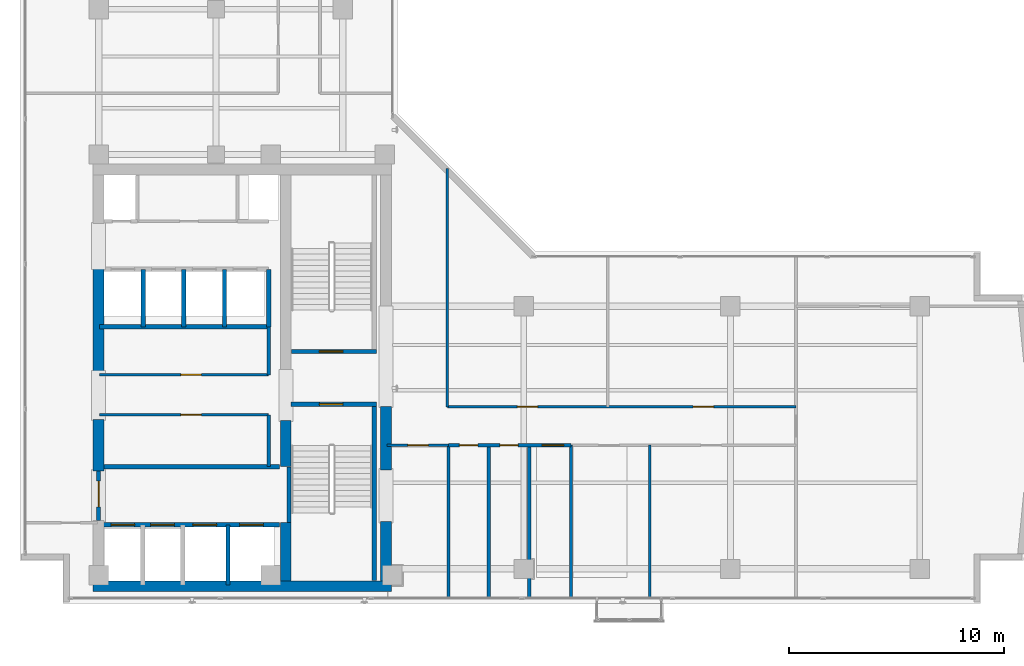
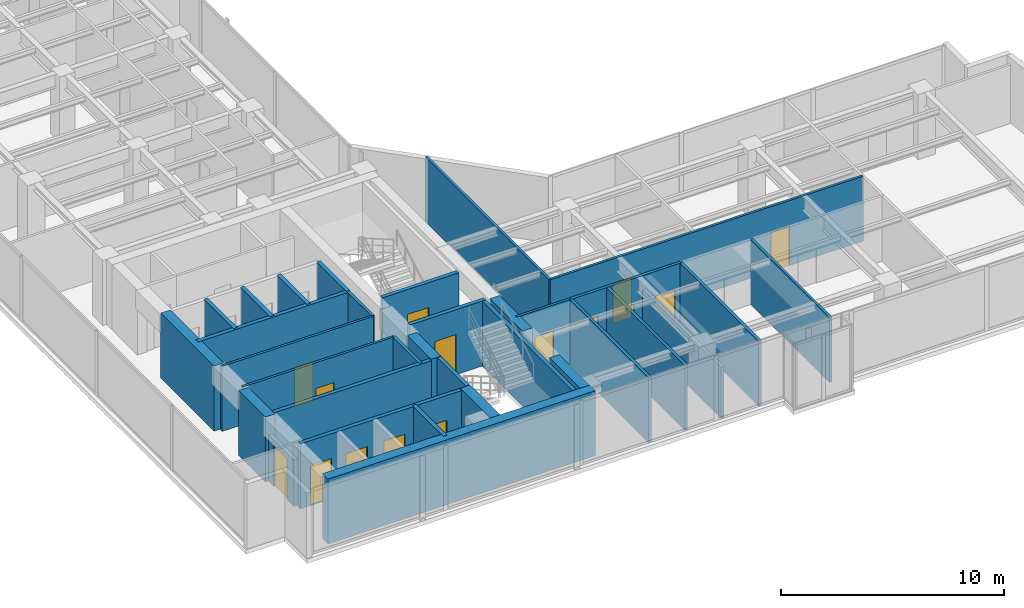
# One storey, part 17 of 22: 33 walls, 15 doors, 15 openings.
"""IFC4 building model written with IfcOpenShell, lengths in metres."""

import ifcopenshell
import ifcopenshell.guid

model = None  # the IFC model being written
_history = None  # IfcOwnerHistory: only IFC2X3 demands one
_inside = {}  # id of a spatial element -> (the spatial element, [elements in it])
_under = {}  # id of a project, library or spatial element -> (it, [spatial elements below it])
_declared = {}  # id of a project -> (the project, [libraries it declares])
_typed = {}  # id of a type object -> (the type object, [elements of that type])
_made_of = {}  # id of a material, layer set ... -> (it, [elements and type objects made of it])


def new_model(schema):
    """Start an empty IFC model of exactly this schema.

    Asked for "IFC4X3", IfcOpenShell would pick the latest addendum, in which some entities
    have other attributes; the version numbers below select the first issue.
    IFC2X3 requires an IfcOwnerHistory on every rooted entity: one is made here for all.
    """
    global model, _history
    if schema == "IFC4X3":
        model = ifcopenshell.file(schema_version=(4, 3, 0, 0))
    else:
        model = ifcopenshell.file(schema=schema)
    _inside.clear()
    _under.clear()
    _declared.clear()
    _typed.clear()
    _made_of.clear()
    _history = None
    if model.schema == "IFC2X3":
        org = make("IfcOrganization", Name="unknown")
        user = make(
            "IfcPersonAndOrganization",
            ThePerson=make("IfcPerson", FamilyName="unknown"),
            TheOrganization=org,
        )
        app = make(
            "IfcApplication",
            ApplicationDeveloper=org,
            Version="unknown",
            ApplicationFullName="unknown",
            ApplicationIdentifier="unknown",
        )
        _history = make(
            "IfcOwnerHistory",
            OwningUser=user,
            OwningApplication=app,
            ChangeAction="ADDED",
            CreationDate=0,
        )
    return model


def make(cls, **values):
    """One entity of the class cls with the attributes given. An attribute that is None is left unset."""
    return model.create_entity(
        cls, **{name: value for name, value in values.items() if value is not None}
    )


def rooted(cls, **values):
    """An entity with a GlobalId (a new one), such as an element, a storey or a relation."""
    return make(cls, GlobalId=ifcopenshell.guid.new(), OwnerHistory=_history, **values)


def si_unit(unit_type, name, prefix=None):
    """IfcSIUnit, for example si_unit("LENGTHUNIT", "METRE", prefix="MILLI")."""
    return make("IfcSIUnit", UnitType=unit_type, Prefix=prefix, Name=name)


def assignment(units):
    """IfcUnitAssignment: the units of a project."""
    return None if units is None else make("IfcUnitAssignment", Units=units)


def point(xyz):
    """IfcCartesianPoint."""
    return None if xyz is None else make("IfcCartesianPoint", Coordinates=xyz)


def direction(xyz):
    """IfcDirection."""
    return None if xyz is None else make("IfcDirection", DirectionRatios=xyz)


def frame(location, z_axis=None, x_axis=None):
    """IfcAxis2Placement3D, a coordinate frame: its origin and axes. An axis left out is left unset."""
    return make(
        "IfcAxis2Placement3D",
        Location=point(location),
        Axis=direction(z_axis),
        RefDirection=direction(x_axis),
    )


def frame_2d(location, x_axis=None):
    """IfcAxis2Placement2D, a coordinate frame in the plane: its origin and x axis."""
    return make(
        "IfcAxis2Placement2D", Location=point(location), RefDirection=direction(x_axis)
    )


def origin():
    """The frame at (0, 0, 0) with its axes left unset."""
    return frame((0.0, 0.0, 0.0))


def place(relative_to, where):
    """IfcLocalPlacement: puts the frame where relative to a parent placement (None: the world)."""
    return make(
        "IfcLocalPlacement", PlacementRelTo=relative_to, RelativePlacement=where
    )


def context(
    kind, dimensions, precision=None, world=None, true_north=None, identifier=None
):
    """IfcGeometricRepresentationContext, for example the 3D "Model" context."""
    return make(
        "IfcGeometricRepresentationContext",
        ContextIdentifier=identifier,
        ContextType=kind,
        CoordinateSpaceDimension=dimensions,
        Precision=precision,
        WorldCoordinateSystem=world,
        TrueNorth=true_north,
    )


def subcontext(parent, identifier, kind, view, scale=None):
    """IfcGeometricRepresentationSubContext, for example "Body" below "Model"."""
    return make(
        "IfcGeometricRepresentationSubContext",
        ContextIdentifier=identifier,
        ContextType=kind,
        ParentContext=parent,
        TargetScale=scale,
        TargetView=view,
    )


def project(units=None, contexts=None):
    """IfcProject with its units and contexts."""
    return rooted(
        "IfcProject",
        Name="project",
        RepresentationContexts=contexts,
        UnitsInContext=assignment(units),
    )


def spatial(cls, under=None, at=None, **own):
    """A site, building, storey or space (cls), placed at a placement, below another one or the project."""
    s = rooted(cls, ObjectPlacement=at, **own)
    if under is not None:
        _under.setdefault(under.id(), (under, []))[1].append(s)
    return s


def profile(cls, at=None, kind="AREA", **sizes):
    """A parametric profile (cls). Its sizes go by their IFC names, for example OverallWidth=200.0."""
    return make(cls, ProfileType=kind, Position=at, **sizes)


def rectangle(**sizes):
    """IfcRectangleProfileDef."""
    return profile("IfcRectangleProfileDef", **sizes)


def extrude(swept, where, along, depth):
    """IfcExtrudedAreaSolid: the profile swept, set in the frame where, extruded along a direction by depth."""
    return make(
        "IfcExtrudedAreaSolid",
        SweptArea=swept,
        Position=where,
        ExtrudedDirection=direction(along),
        Depth=depth,
    )


def shape(context_of_items, identifier, shape_type, items):
    """IfcShapeRepresentation: the items that make up one representation, for example the "Body"."""
    return make(
        "IfcShapeRepresentation",
        ContextOfItems=context_of_items,
        RepresentationIdentifier=identifier,
        RepresentationType=shape_type,
        Items=items,
    )


def material(Name=None, Category=None):
    """IfcMaterial."""
    return make("IfcMaterial", Name=Name, Category=Category)


def layer(
    of_material, thickness, ventilated=None, Name=None, Category=None, Priority=None
):
    """IfcMaterialLayer: one layer of a wall or slab, of a material (None: an air gap)."""
    return make(
        "IfcMaterialLayer",
        Material=of_material,
        LayerThickness=thickness,
        IsVentilated=ventilated,
        Name=Name,
        Category=Category,
        Priority=Priority,
    )


def layer_set(layers, Name=None):
    """IfcMaterialLayerSet."""
    return make("IfcMaterialLayerSet", MaterialLayers=layers, LayerSetName=Name)


def made_of(thing, what):
    """Note that an element or type object is made of a material, layer set ...; save() writes the relation."""
    if what is not None:
        _made_of.setdefault(what.id(), (what, []))[1].append(thing)
    return thing


def type_object(cls, material=None, **own):
    """A type object (cls), such as IfcWallType, which elements share."""
    return made_of(rooted(cls, **own), material)


def element(
    cls,
    number,
    at=None,
    inside=None,
    cuts=None,
    type_object=None,
    material=None,
    context=None,
    identifier="Body",
    shape_type=None,
    held_by="IfcProductDefinitionShape",
    body=None,
    shapes=None,
    **own,
):
    """One element of the class cls, such as IfcWall. Its Tag is "e" and its number.

    at: its placement. inside: the storey or other place that contains it. cuts: it is an
    opening in that element (IfcRelVoidsElement). A single representation is given by context,
    identifier, shape_type and body (its items); several are given by shapes. held_by: the class
    of the entity that holds the representations. save() writes the other relations.
    """
    e = rooted(cls, Tag="e%d" % number, ObjectPlacement=at, **own)
    if body is not None:
        shapes = [shape(context, identifier, shape_type, body)]
    if shapes is not None:
        e.Representation = make(held_by, Representations=shapes)
    if inside is not None:
        _inside.setdefault(inside.id(), (inside, []))[1].append(e)
    if cuts is not None:
        rooted(
            "IfcRelVoidsElement", RelatingBuildingElement=cuts, RelatedOpeningElement=e
        )
    if type_object is not None:
        _typed.setdefault(type_object.id(), (type_object, []))[1].append(e)
    return made_of(e, material)


def fill(opening, filler):
    """IfcRelFillsElement: the door or window that sits in an opening."""
    return rooted(
        "IfcRelFillsElement",
        RelatingOpeningElement=opening,
        RelatedBuildingElement=filler,
    )


def aggregate(whole, parts):
    """IfcRelAggregates: a whole, such as a stair, and the parts it consists of."""
    return rooted("IfcRelAggregates", RelatingObject=whole, RelatedObjects=parts)


def save(model, path):
    """Write the relations noted so far, then the file.

    IfcRelAggregates (storeys below a building ...), IfcRelContainedInSpatialStructure (elements
    in a storey), IfcRelDefinesByType, IfcRelAssociatesMaterial and IfcRelDeclares: one each for
    every whole, place, type object, material and project.
    """
    for whole, parts in _under.values():
        aggregate(whole, parts)
    for where, things in _inside.values():
        rooted(
            "IfcRelContainedInSpatialStructure",
            RelatedElements=things,
            RelatingStructure=where,
        )
    for kind, things in _typed.values():
        rooted("IfcRelDefinesByType", RelatedObjects=things, RelatingType=kind)
    for what, things in _made_of.values():
        rooted("IfcRelAssociatesMaterial", RelatedObjects=things, RelatingMaterial=what)
    for by, libraries in _declared.values():
        rooted("IfcRelDeclares", RelatingContext=by, RelatedDefinitions=libraries)
    model.write(path)


model = new_model("IFC4")

# Units and contexts
model_context = context("Model", 3, precision=1e-05, world=origin(), true_north=direction((0.0, 1.0)))
body_context = subcontext(model_context, "Body", "Model", "MODEL_VIEW")
ifc_project = project(units=[si_unit("LENGTHUNIT", "METRE"), si_unit("AREAUNIT", "SQUARE_METRE"), si_unit("VOLUMEUNIT", "CUBIC_METRE"), si_unit("PLANEANGLEUNIT", "RADIAN"), si_unit("MASSUNIT", "GRAM", prefix="KILO")], contexts=[model_context])

# Site, building, storey
site_placement = place(None, origin())
site = spatial("IfcSite", under=ifc_project, at=site_placement, CompositionType="ELEMENT")
building_placement = place(site_placement, origin())
building = spatial("IfcBuilding", under=site, at=building_placement, Name="Kolvaren Waterfront Exchange", CompositionType="ELEMENT")
storey_placement = place(building_placement, frame((0.0, 0.0, 281.800048828125)))
storey = spatial("IfcBuildingStorey", under=building, at=storey_placement, Name="L72", CompositionType="ELEMENT", Elevation=281.800048828125)

# Wall, opening, door
ifc_material_1 = material(Name="Precast concrete C40/50", Category="concrete")
ifc_layer_1 = layer(ifc_material_1, 0.199951171875, Name="Precast concrete C40/50")
ifc_layer_set_1 = layer_set([ifc_layer_1], Name="Precast concrete C40/50")
wall_type_1 = type_object("IfcWallType", Name="ARC-FIRE-200", PredefinedType="PARTITIONING", material=ifc_layer_set_1)
wall_1_placement = place(storey_placement, frame((16.39990234375, 12.85009765625, 0.0), z_axis=(0.0, 0.0, 1.0), x_axis=(1.0, 0.0, 0.0)))
wall_1 = element("IfcWall", 1, at=wall_1_placement, inside=storey, type_object=wall_type_1, Name="L72 interior wall PW-L72-ST1-THROAT-S", PredefinedType="PARTITIONING", context=body_context, shape_type="SweptSolid", body=[
    extrude(rectangle(XDim=3.960205078125, YDim=0.199951171875, at=frame_2d((1.97998046875, 0.0))), origin(), (0.0, 0.0, 1.0), 3.56005859375),
])
opening_1_placement = place(wall_1_placement, frame((1.3037109375, 0.0, 0.0)))
opening_1 = element("IfcOpeningElement", 2, at=opening_1_placement, cuts=wall_1, Name="Opening FD2", PredefinedType="OPENING", context=body_context, shape_type="SweptSolid", body=[
    extrude(rectangle(XDim=1.10009765625, YDim=2.199951171875, at=frame_2d((0.550048828125, 1.10009765625))), frame((0.0, 0.10986328125, 0.0), z_axis=(0.0, -1.0, 0.0), x_axis=(1.0, 0.0, 0.0)), (0.0, 0.0, 1.0), 0.219970703125),
])
ifc_material_2 = material(Name="Pressed steel smoke-seal fire door", Category="steel")
door_type_1 = type_object("IfcDoorType", Name="ARC-FD-1100", OperationType="NOTDEFINED", PredefinedType="DOOR", material=ifc_material_2)
door_1_placement = place(opening_1_placement, frame((1.10009765625, 0.0, 0.0), z_axis=(0.0, 0.0, 1.0), x_axis=(-1.0, 0.0, 0.0)))
door_1 = element("IfcDoor", 3, at=door_1_placement, inside=storey, type_object=door_type_1, Name="L72 door DR-L72-ST1-IN (FD2)", OperationType="SINGLE_SWING_RIGHT", OverallHeight=2.199951171875, OverallWidth=1.10009765625, PredefinedType="DOOR", context=body_context, shape_type="SweptSolid", body=[
    extrude(rectangle(XDim=1.10009765625, YDim=2.199951171875, at=frame_2d((0.550048828125, 1.10009765625))), frame((0.0, 0.02490234375, 0.0), z_axis=(0.0, -1.0, 0.0), x_axis=(1.0, 0.0, 0.0)), (0.0, 0.0, 1.0), 0.050048828125),
])
fill(opening_1, door_1)

wall_2_placement = place(storey_placement, frame((16.409912109375, 15.300048828125, 0.0), z_axis=(0.0, 0.0, 1.0), x_axis=(1.0, 0.0, 0.0)))
wall_2 = element("IfcWall", 4, at=wall_2_placement, inside=storey, type_object=wall_type_1, Name="L72 interior wall PW-L72-ST2-THROAT-N", PredefinedType="PARTITIONING", context=body_context, shape_type="SweptSolid", body=[
    extrude(rectangle(XDim=3.9501953125, YDim=0.199951171875, at=frame_2d((1.97509765625, 0.0))), origin(), (0.0, 0.0, 1.0), 3.56005859375),
])
opening_2_placement = place(wall_2_placement, frame((1.293701171875, 0.0, 0.0)))
opening_2 = element("IfcOpeningElement", 5, at=opening_2_placement, cuts=wall_2, Name="Opening FD2", PredefinedType="OPENING", context=body_context, shape_type="SweptSolid", body=[
    extrude(rectangle(XDim=1.10009765625, YDim=2.199951171875, at=frame_2d((0.550048828125, 1.10009765625))), frame((0.0, 0.10986328125, 0.0), z_axis=(0.0, -1.0, 0.0), x_axis=(1.0, 0.0, 0.0)), (0.0, 0.0, 1.0), 0.219970703125),
])
door_2_placement = place(opening_2_placement, origin())
door_2 = element("IfcDoor", 6, at=door_2_placement, inside=storey, type_object=door_type_1, Name="L72 door DR-L72-ST2-IN (FD2)", OperationType="SINGLE_SWING_LEFT", OverallHeight=2.199951171875, OverallWidth=1.10009765625, PredefinedType="DOOR", context=body_context, shape_type="SweptSolid", body=[
    extrude(rectangle(XDim=1.10009765625, YDim=2.199951171875, at=frame_2d((0.550048828125, 1.10009765625))), frame((0.0, 0.02490234375, 0.0), z_axis=(0.0, -1.0, 0.0), x_axis=(1.0, 0.0, 0.0)), (0.0, 0.0, 1.0), 0.050048828125),
])
fill(opening_2, door_2)

# Wall
wall_3_placement = place(storey_placement, frame((7.5, 9.949951171875, 0.0), z_axis=(0.0, 0.0, 1.0), x_axis=(1.0, 0.0, 0.0)))
element("IfcWall", 7, at=wall_3_placement, inside=storey, type_object=wall_type_1, Name="L72 interior wall PW-L72-FF-N", PredefinedType="PARTITIONING", context=body_context, shape_type="SweptSolid", body=[
    extrude(rectangle(XDim=8.35009765625, YDim=0.199951171875, at=frame_2d((4.175048828125, 0.0))), origin(), (0.0, 0.0, 1.0), 3.56005859375),
])

# Wall, opening, door
wall_4_placement = place(storey_placement, frame((7.449951171875, 7.449951171875, 0.0), z_axis=(0.0, 0.0, 1.0), x_axis=(0.0, 1.0, 0.0)))
wall_4 = element("IfcWall", 8, at=wall_4_placement, inside=storey, type_object=wall_type_1, Name="L72 interior wall PW-L72-FF-W-DOOR", PredefinedType="PARTITIONING", context=body_context, shape_type="SweptSolid", body=[
    extrude(rectangle(XDim=2.300048828125, YDim=0.199951171875, at=frame_2d((1.14990234375, 0.0))), origin(), (0.0, 0.0, 1.0), 2.5400390625),
])
opening_3_placement = place(wall_4_placement, frame((0.63330078125, 0.0, 0.0)))
opening_3 = element("IfcOpeningElement", 9, at=opening_3_placement, cuts=wall_4, Name="Opening FD3", PredefinedType="OPENING", context=body_context, shape_type="SweptSolid", body=[
    extrude(rectangle(XDim=1.199951171875, YDim=2.25, at=frame_2d((0.60009765625, 1.125))), frame((0.0, 0.10986328125, 0.0), z_axis=(0.0, -1.0, 0.0), x_axis=(1.0, 0.0, 0.0)), (0.0, 0.0, 1.0), 0.219970703125),
])
ifc_material_3 = material(Name="Pressed steel fire door", Category="steel")
door_type_2 = type_object("IfcDoorType", Name="ARC-FD-1200", OperationType="NOTDEFINED", PredefinedType="DOOR", material=ifc_material_3)
door_3_placement = place(opening_3_placement, frame((1.199951171875, 0.0, 0.0), z_axis=(0.0, 0.0, 1.0), x_axis=(-1.0, 0.0, 0.0)))
door_3 = element("IfcDoor", 10, at=door_3_placement, inside=storey, type_object=door_type_2, Name="L72 door DR-L72-FF-OUT (FD3)", OperationType="SINGLE_SWING_RIGHT", OverallHeight=2.25, OverallWidth=1.199951171875, PredefinedType="DOOR", context=body_context, shape_type="SweptSolid", body=[
    extrude(rectangle(XDim=1.199951171875, YDim=2.25, at=frame_2d((0.60009765625, 1.125))), frame((0.0, 0.02490234375, 0.0), z_axis=(0.0, -1.0, 0.0), x_axis=(1.0, 0.0, 0.0)), (0.0, 0.0, 1.0), 0.050048828125),
])
fill(opening_3, door_3)

ifc_material_4 = material(Name="Acoustic gypsum steel stud", Category="steel")
ifc_layer_2 = layer(ifc_material_4, 0.125, Name="Acoustic gypsum steel stud")
ifc_layer_set_2 = layer_set([ifc_layer_2], Name="Acoustic gypsum steel stud")
wall_type_2 = type_object("IfcWallType", Name="ARC-PART-125", PredefinedType="PARTITIONING", material=ifc_layer_set_2)
wall_5_placement = place(storey_placement, frame((7.5, 12.360107421875, 0.0), z_axis=(0.0, 0.0, 1.0), x_axis=(1.0, 0.0, 0.0)))
wall_5 = element("IfcWall", 11, at=wall_5_placement, inside=storey, type_object=wall_type_2, Name="L72 interior wall PW-L72-REC-HI-S", PredefinedType="PARTITIONING", context=body_context, shape_type="SweptSolid", body=[
    extrude(rectangle(XDim=7.85009765625, YDim=0.125, at=frame_2d((3.925048828125, 0.0))), origin(), (0.0, 0.0, 1.0), 3.56005859375),
])
opening_4_placement = place(wall_5_placement, frame((3.77490234375, 0.0, 0.0)))
opening_4 = element("IfcOpeningElement", 12, at=opening_4_placement, cuts=wall_5, Name="Opening D02", PredefinedType="OPENING", context=body_context, shape_type="SweptSolid", body=[
    extrude(rectangle(XDim=0.949951171875, YDim=2.14990234375, at=frame_2d((0.47509765625, 1.074951171875))), frame((0.0, 0.072509765625, 0.0), z_axis=(0.0, -1.0, 0.0), x_axis=(1.0, 0.0, 0.0)), (0.0, 0.0, 1.0), 0.14501953125),
])
ifc_material_5 = material(Name="Oak veneer acoustic timber", Category="wood")
door_type_3 = type_object("IfcDoorType", Name="ARC-DR-950", OperationType="NOTDEFINED", PredefinedType="DOOR", material=ifc_material_5)
door_4_placement = place(opening_4_placement, origin())
door_4 = element("IfcDoor", 13, at=door_4_placement, inside=storey, type_object=door_type_3, Name="L72 door DR-L72-REC-HI-D1 (D02)", OperationType="SINGLE_SWING_LEFT", OverallHeight=2.14990234375, OverallWidth=0.949951171875, PredefinedType="DOOR", context=body_context, shape_type="SweptSolid", body=[
    extrude(rectangle(XDim=0.949951171875, YDim=2.14990234375, at=frame_2d((0.47509765625, 1.074951171875))), frame((0.0, 0.02490234375, 0.0), z_axis=(0.0, -1.0, 0.0), x_axis=(1.0, 0.0, 0.0)), (0.0, 0.0, 1.0), 0.050048828125),
])
fill(opening_4, door_4)

wall_6_placement = place(storey_placement, frame((7.5, 14.219970703125, 0.0), z_axis=(0.0, 0.0, 1.0), x_axis=(1.0, 0.0, 0.0)))
wall_6 = element("IfcWall", 14, at=wall_6_placement, inside=storey, type_object=wall_type_2, Name="L72 interior wall PW-L72-REC-HI-N", PredefinedType="PARTITIONING", context=body_context, shape_type="SweptSolid", body=[
    extrude(rectangle(XDim=7.85009765625, YDim=0.125, at=frame_2d((3.925048828125, 0.0))), origin(), (0.0, 0.0, 1.0), 3.56005859375),
])
opening_5_placement = place(wall_6_placement, frame((3.77490234375, 0.0, 0.0)))
opening_5 = element("IfcOpeningElement", 15, at=opening_5_placement, cuts=wall_6, Name="Opening D02", PredefinedType="OPENING", context=body_context, shape_type="SweptSolid", body=[
    extrude(rectangle(XDim=0.949951171875, YDim=2.14990234375, at=frame_2d((0.47509765625, 1.074951171875))), frame((0.0, 0.072509765625, 0.0), z_axis=(0.0, -1.0, 0.0), x_axis=(1.0, 0.0, 0.0)), (0.0, 0.0, 1.0), 0.14501953125),
])
door_5_placement = place(opening_5_placement, origin())
door_5 = element("IfcDoor", 16, at=door_5_placement, inside=storey, type_object=door_type_3, Name="L72 door DR-L72-REC-HI-D2 (D02)", OperationType="SINGLE_SWING_RIGHT", OverallHeight=2.14990234375, OverallWidth=0.949951171875, PredefinedType="DOOR", context=body_context, shape_type="SweptSolid", body=[
    extrude(rectangle(XDim=0.949951171875, YDim=2.14990234375, at=frame_2d((0.47509765625, 1.074951171875))), frame((0.0, 0.02490234375, 0.0), z_axis=(0.0, -1.0, 0.0), x_axis=(1.0, 0.0, 0.0)), (0.0, 0.0, 1.0), 0.050048828125),
])
fill(opening_5, door_5)

wall_7_placement = place(storey_placement, frame((20.85009765625, 10.949951171875, 0.0), z_axis=(0.0, 0.0, 1.0), x_axis=(1.0, 0.0, 0.0)))
wall_7 = element("IfcWall", 17, at=wall_7_placement, inside=storey, type_object=wall_type_2, Name="L72 interior wall PW-L72-SWST3-N", PredefinedType="PARTITIONING", context=body_context, shape_type="SweptSolid", body=[
    extrude(rectangle(XDim=2.849853515625, YDim=0.125, at=frame_2d((1.4248046875, 0.0))), origin(), (0.0, 0.0, 1.0), 3.56005859375),
])
opening_6_placement = place(wall_7_placement, frame((0.971435546875, 0.0, 0.0)))
opening_6 = element("IfcOpeningElement", 18, at=opening_6_placement, cuts=wall_7, Name="Opening D02", PredefinedType="OPENING", context=body_context, shape_type="SweptSolid", body=[
    extrude(rectangle(XDim=0.949951171875, YDim=2.14990234375, at=frame_2d((0.47509765625, 1.074951171875))), frame((0.0, 0.072509765625, 0.0), z_axis=(0.0, -1.0, 0.0), x_axis=(1.0, 0.0, 0.0)), (0.0, 0.0, 1.0), 0.14501953125),
])
door_6_placement = place(opening_6_placement, origin())
door_6 = element("IfcDoor", 19, at=door_6_placement, inside=storey, type_object=door_type_3, Name="L72 door DR-L72-SWST3-D (D02)", OperationType="SINGLE_SWING_LEFT", OverallHeight=2.14990234375, OverallWidth=0.949951171875, PredefinedType="DOOR", context=body_context, shape_type="SweptSolid", body=[
    extrude(rectangle(XDim=0.949951171875, YDim=2.14990234375, at=frame_2d((0.47509765625, 1.074951171875))), frame((0.0, 0.02490234375, 0.0), z_axis=(0.0, -1.0, 0.0), x_axis=(1.0, 0.0, 0.0)), (0.0, 0.0, 1.0), 0.050048828125),
])
fill(opening_6, door_6)

# Walls
wall_8_placement = place(storey_placement, frame((33.06005859375, 3.840087890625, 0.0), z_axis=(0.0, 0.0, 1.0), x_axis=(0.0, 1.0, 0.0)))
element("IfcWall", 20, at=wall_8_placement, inside=storey, type_object=wall_type_2, Name="L72 interior wall PW-L72-ES-DIV-1", PredefinedType="PARTITIONING", context=body_context, shape_type="SweptSolid", body=[
    extrude(rectangle(XDim=7.10986328125, YDim=0.125, at=frame_2d((3.554931640625, 0.0))), origin(), (0.0, 0.0, 1.0), 3.56005859375),
])
wall_9_placement = place(storey_placement, frame((23.64990234375, 12.72998046875, 0.0), z_axis=(0.0, 0.0, 1.0), x_axis=(0.0, 1.0, 0.0)))
element("IfcWall", 21, at=wall_9_placement, inside=storey, type_object=wall_type_2, Name="L72 interior wall PW-L72-EN-W0", PredefinedType="PARTITIONING", context=body_context, shape_type="SweptSolid", body=[
    extrude(rectangle(XDim=11.07470703125, YDim=0.125, at=frame_2d((5.537353515625, 0.0))), origin(), (0.0, 0.0, 1.0), 3.56005859375),
])

# Wall, openings, doors
wall_10_placement = place(storey_placement, frame((23.64990234375, 12.72998046875, 0.0), z_axis=(0.0, 0.0, 1.0), x_axis=(1.0, 0.0, 0.0)))
wall_10 = element("IfcWall", 22, at=wall_10_placement, inside=storey, type_object=wall_type_2, Name="L72 interior wall PW-L72-EN-CORR", PredefinedType="PARTITIONING", context=body_context, shape_type="SweptSolid", body=[
    extrude(rectangle(XDim=16.2001953125, YDim=0.125, at=frame_2d((8.10009765625, 0.0))), origin(), (0.0, 0.0, 1.0), 3.56005859375),
])
opening_7_placement = place(wall_10_placement, frame((3.25, 0.0, 0.0)))
opening_7 = element("IfcOpeningElement", 23, at=opening_7_placement, cuts=wall_10, Name="Opening D02", PredefinedType="OPENING", context=body_context, shape_type="SweptSolid", body=[
    extrude(rectangle(XDim=0.949951171875, YDim=2.14990234375, at=frame_2d((0.47509765625, 1.074951171875))), frame((0.0, 0.072509765625, 0.0), z_axis=(0.0, -1.0, 0.0), x_axis=(1.0, 0.0, 0.0)), (0.0, 0.0, 1.0), 0.14501953125),
])
opening_8_placement = place(wall_10_placement, frame((11.42138671875, 0.0, 0.0)))
opening_8 = element("IfcOpeningElement", 24, at=opening_8_placement, cuts=wall_10, Name="Opening D02", PredefinedType="OPENING", context=body_context, shape_type="SweptSolid", body=[
    extrude(rectangle(XDim=0.949951171875, YDim=2.14990234375, at=frame_2d((0.47509765625, 1.074951171875))), frame((0.0, 0.072509765625, 0.0), z_axis=(0.0, -1.0, 0.0), x_axis=(1.0, 0.0, 0.0)), (0.0, 0.0, 1.0), 0.14501953125),
])
door_7_placement = place(opening_7_placement, origin())
door_7 = element("IfcDoor", 25, at=door_7_placement, inside=storey, type_object=door_type_3, Name="L72 door DR-L72-EN-D-1 (D02)", OperationType="SINGLE_SWING_RIGHT", OverallHeight=2.14990234375, OverallWidth=0.949951171875, PredefinedType="DOOR", context=body_context, shape_type="SweptSolid", body=[
    extrude(rectangle(XDim=0.949951171875, YDim=2.14990234375, at=frame_2d((0.47509765625, 1.074951171875))), frame((0.0, 0.02490234375, 0.0), z_axis=(0.0, -1.0, 0.0), x_axis=(1.0, 0.0, 0.0)), (0.0, 0.0, 1.0), 0.050048828125),
])
fill(opening_7, door_7)
door_8_placement = place(opening_8_placement, origin())
door_8 = element("IfcDoor", 26, at=door_8_placement, inside=storey, type_object=door_type_3, Name="L72 door DR-L72-EN-D-2 (D02)", OperationType="SINGLE_SWING_LEFT", OverallHeight=2.14990234375, OverallWidth=0.949951171875, PredefinedType="DOOR", context=body_context, shape_type="SweptSolid", body=[
    extrude(rectangle(XDim=0.949951171875, YDim=2.14990234375, at=frame_2d((0.47509765625, 1.074951171875))), frame((0.0, 0.02490234375, 0.0), z_axis=(0.0, -1.0, 0.0), x_axis=(1.0, 0.0, 0.0)), (0.0, 0.0, 1.0), 0.050048828125),
])
fill(opening_8, door_8)

# Walls
ifc_material_6 = material(Name="Gypsum fireboard steel stud", Category="steel")
ifc_layer_3 = layer(ifc_material_6, 0.14990234375, Name="Gypsum fireboard steel stud")
ifc_layer_set_3 = layer_set([ifc_layer_3], Name="Gypsum fireboard steel stud")
wall_type_3 = type_object("IfcWallType", Name="ARC-PART-150", PredefinedType="PARTITIONING", material=ifc_layer_set_3)
wall_11_placement = place(storey_placement, frame((15.35009765625, 9.949951171875, 0.0), z_axis=(0.0, 0.0, 1.0), x_axis=(0.0, 1.0, 0.0)))
element("IfcWall", 27, at=wall_11_placement, inside=storey, type_object=wall_type_3, Name="L72 interior wall PW-L72-REC-HI-E1", PredefinedType="PARTITIONING", context=body_context, shape_type="SweptSolid", body=[
    extrude(rectangle(XDim=2.41015625, YDim=0.14990234375, at=frame_2d((1.205078125, 0.0))), origin(), (0.0, 0.0, 1.0), 3.56005859375),
])
wall_12_placement = place(storey_placement, frame((15.35009765625, 14.219970703125, 0.0), z_axis=(0.0, 0.0, 1.0), x_axis=(0.0, 1.0, 0.0)))
element("IfcWall", 28, at=wall_12_placement, inside=storey, type_object=wall_type_3, Name="L72 interior wall PW-L72-REC-HI-E2", PredefinedType="PARTITIONING", context=body_context, shape_type="SweptSolid", body=[
    extrude(rectangle(XDim=2.22998046875, YDim=0.14990234375, at=frame_2d((1.114990234375, 0.0))), origin(), (0.0, 0.0, 1.0), 3.56005859375),
])
ifc_material_7 = material(Name="Moisture-resistant gypsum stud")
ifc_layer_4 = layer(ifc_material_7, 0.14990234375, Name="Moisture-resistant gypsum stud")
ifc_layer_set_4 = layer_set([ifc_layer_4], Name="Moisture-resistant gypsum stud")
wall_type_4 = type_object("IfcWallType", Name="ARC-PLUMB-150", PredefinedType="PLUMBINGWALL", material=ifc_layer_set_4)
wall_13_placement = place(storey_placement, frame((23.699951171875, 3.840087890625, 0.0), z_axis=(0.0, 0.0, 1.0), x_axis=(0.0, 1.0, 0.0)))
element("IfcWall", 29, at=wall_13_placement, inside=storey, type_object=wall_type_4, Name="L72 interior wall PW-L72-WC-0", PredefinedType="PLUMBINGWALL", context=body_context, shape_type="SweptSolid", body=[
    extrude(rectangle(XDim=7.10986328125, YDim=0.14990234375, at=frame_2d((3.554931640625, 0.0))), origin(), (0.0, 0.0, 1.0), 3.56005859375),
])

# Wall, openings, doors
wall_14_placement = place(storey_placement, frame((23.699951171875, 10.949951171875, 0.0), z_axis=(0.0, 0.0, 1.0), x_axis=(1.0, 0.0, 0.0)))
wall_14 = element("IfcWall", 30, at=wall_14_placement, inside=storey, type_object=wall_type_4, Name="L72 interior wall PW-L72-WC-N", PredefinedType="PLUMBINGWALL", context=body_context, shape_type="SweptSolid", body=[
    extrude(rectangle(XDim=5.699951171875, YDim=0.14990234375, at=frame_2d((2.85009765625, 0.0))), origin(), (0.0, 0.0, 1.0), 3.56005859375),
])
opening_9_placement = place(wall_14_placement, frame((0.514892578125, 0.0, 0.0)))
opening_9 = element("IfcOpeningElement", 31, at=opening_9_placement, cuts=wall_14, Name="Opening D01", PredefinedType="OPENING", context=body_context, shape_type="SweptSolid", body=[
    extrude(rectangle(XDim=0.85009765625, YDim=2.14990234375, at=frame_2d((0.425048828125, 1.074951171875))), frame((0.0, 0.0849609375, 0.0), z_axis=(0.0, -1.0, 0.0), x_axis=(1.0, 0.0, 0.0)), (0.0, 0.0, 1.0), 0.169921875),
])
opening_10_placement = place(wall_14_placement, frame((2.39501953125, 0.0, 0.0)))
opening_10 = element("IfcOpeningElement", 32, at=opening_10_placement, cuts=wall_14, Name="Opening D01", PredefinedType="OPENING", context=body_context, shape_type="SweptSolid", body=[
    extrude(rectangle(XDim=0.85009765625, YDim=2.14990234375, at=frame_2d((0.425048828125, 1.074951171875))), frame((0.0, 0.0849609375, 0.0), z_axis=(0.0, -1.0, 0.0), x_axis=(1.0, 0.0, 0.0)), (0.0, 0.0, 1.0), 0.169921875),
])
opening_11_placement = place(wall_14_placement, frame((4.35009765625, 0.0, 0.0)))
opening_11 = element("IfcOpeningElement", 33, at=opening_11_placement, cuts=wall_14, Name="Opening D03", PredefinedType="OPENING", context=body_context, shape_type="SweptSolid", body=[
    extrude(rectangle(XDim=1.0, YDim=2.199951171875, at=frame_2d((0.5, 1.10009765625))), frame((0.0, 0.0849609375, 0.0), z_axis=(0.0, -1.0, 0.0), x_axis=(1.0, 0.0, 0.0)), (0.0, 0.0, 1.0), 0.169921875),
])
ifc_material_8 = material(Name="Oak veneer accessible timber", Category="wood")
door_type_4 = type_object("IfcDoorType", Name="ARC-DR-1000", OperationType="NOTDEFINED", PredefinedType="DOOR", material=ifc_material_8)
door_9_placement = place(opening_11_placement, origin())
door_9 = element("IfcDoor", 34, at=door_9_placement, inside=storey, type_object=door_type_4, Name="L72 door DR-L72-WCA-D (D03)", OperationType="SINGLE_SWING_LEFT", OverallHeight=2.199951171875, OverallWidth=1.0, PredefinedType="DOOR", context=body_context, shape_type="SweptSolid", body=[
    extrude(rectangle(XDim=1.0, YDim=2.199951171875, at=frame_2d((0.5, 1.10009765625))), frame((0.0, 0.02490234375, 0.0), z_axis=(0.0, -1.0, 0.0), x_axis=(1.0, 0.0, 0.0)), (0.0, 0.0, 1.0), 0.050048828125),
])
fill(opening_11, door_9)
ifc_material_9 = material(Name="Oak veneer timber leaf", Category="wood")
door_type_5 = type_object("IfcDoorType", Name="ARC-DR-900", OperationType="NOTDEFINED", PredefinedType="DOOR", material=ifc_material_9)
door_10_placement = place(opening_9_placement, origin())
door_10 = element("IfcDoor", 35, at=door_10_placement, inside=storey, type_object=door_type_5, Name="L72 door DR-L72-WCM-D (D01)", OperationType="SINGLE_SWING_LEFT", OverallHeight=2.14990234375, OverallWidth=0.85009765625, PredefinedType="DOOR", context=body_context, shape_type="SweptSolid", body=[
    extrude(rectangle(XDim=0.85009765625, YDim=2.14990234375, at=frame_2d((0.425048828125, 1.074951171875))), frame((0.0, 0.02490234375, 0.0), z_axis=(0.0, -1.0, 0.0), x_axis=(1.0, 0.0, 0.0)), (0.0, 0.0, 1.0), 0.050048828125),
])
fill(opening_9, door_10)
door_11_placement = place(opening_10_placement, origin())
door_11 = element("IfcDoor", 36, at=door_11_placement, inside=storey, type_object=door_type_5, Name="L72 door DR-L72-WCF-D (D01)", OperationType="SINGLE_SWING_RIGHT", OverallHeight=2.14990234375, OverallWidth=0.85009765625, PredefinedType="DOOR", context=body_context, shape_type="SweptSolid", body=[
    extrude(rectangle(XDim=0.85009765625, YDim=2.14990234375, at=frame_2d((0.425048828125, 1.074951171875))), frame((0.0, 0.02490234375, 0.0), z_axis=(0.0, -1.0, 0.0), x_axis=(1.0, 0.0, 0.0)), (0.0, 0.0, 1.0), 0.050048828125),
])
fill(opening_10, door_11)

# Walls
wall_15_placement = place(storey_placement, frame((25.580078125, 3.840087890625, 0.0), z_axis=(0.0, 0.0, 1.0), x_axis=(0.0, 1.0, 0.0)))
element("IfcWall", 37, at=wall_15_placement, inside=storey, type_object=wall_type_4, Name="L72 interior wall PW-L72-WC-1", PredefinedType="PLUMBINGWALL", context=body_context, shape_type="SweptSolid", body=[
    extrude(rectangle(XDim=7.10986328125, YDim=0.14990234375, at=frame_2d((3.554931640625, 0.0))), origin(), (0.0, 0.0, 1.0), 3.56005859375),
])
wall_16_placement = place(storey_placement, frame((27.4599609375, 3.840087890625, 0.0), z_axis=(0.0, 0.0, 1.0), x_axis=(0.0, 1.0, 0.0)))
element("IfcWall", 38, at=wall_16_placement, inside=storey, type_object=wall_type_4, Name="L72 interior wall PW-L72-WC-2", PredefinedType="PLUMBINGWALL", context=body_context, shape_type="SweptSolid", body=[
    extrude(rectangle(XDim=7.10986328125, YDim=0.14990234375, at=frame_2d((3.554931640625, 0.0))), origin(), (0.0, 0.0, 1.0), 2.7978515625),
])
wall_17_placement = place(storey_placement, frame((29.39990234375, 3.840087890625, 0.0), z_axis=(0.0, 0.0, 1.0), x_axis=(0.0, 1.0, 0.0)))
element("IfcWall", 39, at=wall_17_placement, inside=storey, type_object=wall_type_4, Name="L72 interior wall PW-L72-WC-3", PredefinedType="PLUMBINGWALL", context=body_context, shape_type="SweptSolid", body=[
    extrude(rectangle(XDim=7.10986328125, YDim=0.14990234375, at=frame_2d((3.554931640625, 0.0))), origin(), (0.0, 0.0, 1.0), 3.56005859375),
])
ifc_material_10 = material(Name="Concrete C40/50", Category="concrete")
ifc_layer_5 = layer(ifc_material_10, 0.199951171875, Name="Concrete C40/50")
ifc_layer_set_5 = layer_set([ifc_layer_5], Name="Concrete C40/50")
wall_type_5 = type_object("IfcWallType", Name="ARC-SHAFT-200", PredefinedType="PARTITIONING", material=ifc_layer_set_5)
wall_18_placement = place(storey_placement, frame((16.300048828125, 7.360107421875, 0.0), z_axis=(0.0, 0.0, 1.0), x_axis=(0.0, 1.0, 0.0)))
element("IfcWall", 40, at=wall_18_placement, inside=storey, type_object=wall_type_5, Name="L72 structural stairwell wall PW-L72-ST1-W", PredefinedType="SHEAR", context=body_context, shape_type="SweptSolid", body=[
    extrude(rectangle(XDim=2.579833984375, YDim=0.199951171875, at=frame_2d((1.2900390625, 0.0))), origin(), (0.0, 0.0, 1.0), 3.56005859375),
])
wall_19_placement = place(storey_placement, frame((20.260009765625, 4.659912109375, 0.0), z_axis=(0.0, 0.0, 1.0), x_axis=(0.0, 1.0, 0.0)))
element("IfcWall", 41, at=wall_19_placement, inside=storey, type_object=wall_type_5, Name="L72 structural stairwell wall PW-L72-ST1-E", PredefinedType="SHEAR", context=body_context, shape_type="SweptSolid", body=[
    extrude(rectangle(XDim=8.090087890625, YDim=0.199951171875, at=frame_2d((4.044921875, 0.0))), origin(), (0.0, 0.0, 1.0), 3.56005859375),
])

# Wall, openings, doors
wall_20_placement = place(storey_placement, frame((7.5, 7.25, 0.0), z_axis=(0.0, 0.0, 1.0), x_axis=(1.0, 0.0, 0.0)))
wall_20 = element("IfcWall", 42, at=wall_20_placement, inside=storey, type_object=wall_type_5, Name="L72 interior wall PW-L72-FF-S", PredefinedType="PARTITIONING", context=body_context, shape_type="SweptSolid", body=[
    extrude(rectangle(XDim=8.35009765625, YDim=0.199951171875, at=frame_2d((4.175048828125, 0.0))), origin(), (0.0, 0.0, 1.0), 3.56005859375),
])
opening_12_placement = place(wall_20_placement, frame((0.530029296875, 0.0, 0.0)))
opening_12 = element("IfcOpeningElement", 43, at=opening_12_placement, cuts=wall_20, Name="Opening LD1", PredefinedType="OPENING", context=body_context, shape_type="SweptSolid", body=[
    extrude(rectangle(XDim=1.10009765625, YDim=2.199951171875, at=frame_2d((0.550048828125, 1.10009765625))), frame((0.0, 0.10986328125, 0.0), z_axis=(0.0, -1.0, 0.0), x_axis=(1.0, 0.0, 0.0)), (0.0, 0.0, 1.0), 0.219970703125),
])
opening_13_placement = place(wall_20_placement, frame((2.3701171875, 0.0, 0.0)))
opening_13 = element("IfcOpeningElement", 44, at=opening_13_placement, cuts=wall_20, Name="Opening LD1", PredefinedType="OPENING", context=body_context, shape_type="SweptSolid", body=[
    extrude(rectangle(XDim=1.10009765625, YDim=2.199951171875, at=frame_2d((0.550048828125, 1.10009765625))), frame((0.0, 0.10986328125, 0.0), z_axis=(0.0, -1.0, 0.0), x_axis=(1.0, 0.0, 0.0)), (0.0, 0.0, 1.0), 0.219970703125),
])
opening_14_placement = place(wall_20_placement, frame((4.330078125, 0.0, 0.0)))
opening_14 = element("IfcOpeningElement", 45, at=opening_14_placement, cuts=wall_20, Name="Opening LD1", PredefinedType="OPENING", context=body_context, shape_type="SweptSolid", body=[
    extrude(rectangle(XDim=1.10009765625, YDim=2.199951171875, at=frame_2d((0.550048828125, 1.10009765625))), frame((0.0, 0.10986328125, 0.0), z_axis=(0.0, -1.0, 0.0), x_axis=(1.0, 0.0, 0.0)), (0.0, 0.0, 1.0), 0.219970703125),
])
opening_15_placement = place(wall_20_placement, frame((6.5, 0.0, 0.0)))
opening_15 = element("IfcOpeningElement", 46, at=opening_15_placement, cuts=wall_20, Name="Opening LD1", PredefinedType="OPENING", context=body_context, shape_type="SweptSolid", body=[
    extrude(rectangle(XDim=1.10009765625, YDim=2.199951171875, at=frame_2d((0.550048828125, 1.10009765625))), frame((0.0, 0.10986328125, 0.0), z_axis=(0.0, -1.0, 0.0), x_axis=(1.0, 0.0, 0.0)), (0.0, 0.0, 1.0), 0.219970703125),
])
ifc_material_11 = material(Name="Stainless steel sliding landing door", Category="steel")
door_type_6 = type_object("IfcDoorType", Name="ARC-LD-FF", OperationType="SLIDING_TO_LEFT", PredefinedType="DOOR", material=ifc_material_11)
door_12_placement = place(opening_12_placement, origin())
door_12 = element("IfcDoor", 47, at=door_12_placement, inside=storey, type_object=door_type_6, Name="L72 door LD-L72-FFL1 (LD1)", OperationType="SLIDING_TO_LEFT", OverallHeight=2.199951171875, OverallWidth=1.10009765625, PredefinedType="DOOR", context=body_context, shape_type="SweptSolid", body=[
    extrude(rectangle(XDim=1.10009765625, YDim=2.199951171875, at=frame_2d((0.550048828125, 1.10009765625))), frame((0.0, 0.02490234375, 0.0), z_axis=(0.0, -1.0, 0.0), x_axis=(1.0, 0.0, 0.0)), (0.0, 0.0, 1.0), 0.050048828125),
])
fill(opening_12, door_12)
door_13_placement = place(opening_13_placement, origin())
door_13 = element("IfcDoor", 48, at=door_13_placement, inside=storey, type_object=door_type_6, Name="L72 door LD-L72-FFL2 (LD1)", OperationType="SLIDING_TO_LEFT", OverallHeight=2.199951171875, OverallWidth=1.10009765625, PredefinedType="DOOR", context=body_context, shape_type="SweptSolid", body=[
    extrude(rectangle(XDim=1.10009765625, YDim=2.199951171875, at=frame_2d((0.550048828125, 1.10009765625))), frame((0.0, 0.02490234375, 0.0), z_axis=(0.0, -1.0, 0.0), x_axis=(1.0, 0.0, 0.0)), (0.0, 0.0, 1.0), 0.050048828125),
])
fill(opening_13, door_13)
door_14_placement = place(opening_14_placement, origin())
door_14 = element("IfcDoor", 49, at=door_14_placement, inside=storey, type_object=door_type_6, Name="L72 door LD-L72-GL1 (LD1)", OperationType="SLIDING_TO_LEFT", OverallHeight=2.199951171875, OverallWidth=1.10009765625, PredefinedType="DOOR", context=body_context, shape_type="SweptSolid", body=[
    extrude(rectangle(XDim=1.10009765625, YDim=2.199951171875, at=frame_2d((0.550048828125, 1.10009765625))), frame((0.0, 0.02490234375, 0.0), z_axis=(0.0, -1.0, 0.0), x_axis=(1.0, 0.0, 0.0)), (0.0, 0.0, 1.0), 0.050048828125),
])
fill(opening_14, door_14)
door_15_placement = place(opening_15_placement, origin())
door_15 = element("IfcDoor", 50, at=door_15_placement, inside=storey, type_object=door_type_6, Name="L72 door LD-L72-GL2 (LD1)", OperationType="SLIDING_TO_LEFT", OverallHeight=2.199951171875, OverallWidth=1.10009765625, PredefinedType="DOOR", context=body_context, shape_type="SweptSolid", body=[
    extrude(rectangle(XDim=1.10009765625, YDim=2.199951171875, at=frame_2d((0.550048828125, 1.10009765625))), frame((0.0, 0.02490234375, 0.0), z_axis=(0.0, -1.0, 0.0), x_axis=(1.0, 0.0, 0.0)), (0.0, 0.0, 1.0), 0.050048828125),
])
fill(opening_15, door_15)

# Walls
wall_21_placement = place(storey_placement, frame((13.4599609375, 4.449951171875, 0.0), z_axis=(0.0, 0.0, 1.0), x_axis=(0.0, 1.0, 0.0)))
element("IfcWall", 51, at=wall_21_placement, inside=storey, type_object=wall_type_5, Name="L72 interior wall PW-L72-SH1-DIV-134", PredefinedType="PARTITIONING", context=body_context, shape_type="SweptSolid", body=[
    extrude(rectangle(XDim=2.800048828125, YDim=0.199951171875, at=frame_2d((1.39990234375, 0.0))), origin(), (0.0, 0.0, 1.0), 3.56005859375),
])
wall_22_placement = place(storey_placement, frame((7.5, 16.449951171875, 0.0), z_axis=(0.0, 0.0, 1.0), x_axis=(1.0, 0.0, 0.0)))
element("IfcWall", 52, at=wall_22_placement, inside=storey, type_object=wall_type_5, Name="L72 interior wall PW-L72-REC-PM-N", PredefinedType="PARTITIONING", context=body_context, shape_type="SweptSolid", body=[
    extrude(rectangle(XDim=7.85009765625, YDim=0.199951171875, at=frame_2d((3.925048828125, 0.0))), origin(), (0.0, 0.0, 1.0), 3.56005859375),
])
for number, where, z_axis, x_axis, name in (
    (53, (15.35009765625, 16.449951171875, 0.0), (0.0, 0.0, 1.0), (0.0, 1.0, 0.0), "L72 interior wall PW-L72-PH-E"),
    (54, (9.52001953125, 16.449951171875, 0.0), (0.0, 0.0, 1.0), (0.0, 1.0, 0.0), "L72 interior wall PW-L72-SH4-DIV-95"),
    (55, (11.409912109375, 16.449951171875, 0.0), (0.0, 0.0, 1.0), (0.0, 1.0, 0.0), "L72 interior wall PW-L72-SH4-DIV-114"),
    (56, (13.300048828125, 16.449951171875, 0.0), (0.0, 0.0, 1.0), (0.0, 1.0, 0.0), "L72 interior wall PW-L72-SH4-DIV-133"),
):
    element("IfcWall", number, at=place(storey_placement, frame(where, z_axis=z_axis, x_axis=x_axis)), inside=storey, type_object=wall_type_5, Name=name, PredefinedType="PARTITIONING", context=body_context, shape_type="SweptSolid", body=[
        extrude(rectangle(XDim=2.670166015625, YDim=0.199951171875, at=frame_2d((1.3349609375, 0.0))), origin(), (0.0, 0.0, 1.0), 3.56005859375),
    ])
ifc_material_12 = material(Name="Concrete C50/60", Category="concrete")
ifc_layer_6 = layer(ifc_material_12, 0.5, Name="Concrete C50/60")
ifc_layer_set_6 = layer_set([ifc_layer_6], Name="Concrete C50/60")
wall_type_6 = type_object("IfcWallType", Name="STR-CWALL-500", PredefinedType="SHEAR", material=ifc_layer_set_6)
wall_23_placement = place(storey_placement, frame((7.199951171875, 4.39990234375, 0.0), z_axis=(0.0, 0.0, 1.0), x_axis=(1.0, 0.0, 0.0)))
element("IfcWall", 57, at=wall_23_placement, inside=storey, type_object=wall_type_6, Name="L72 rear-core shear wall S", PredefinedType="SHEAR", context=body_context, shape_type="SweptSolid", body=[
    extrude(rectangle(XDim=13.85009765625, YDim=0.5, at=frame_2d((6.925048828125, 0.0))), origin(), (0.0, 0.0, 1.0), 3.56005859375),
])
wall_24_placement = place(storey_placement, frame((7.449951171875, 9.75, 0.0), z_axis=(0.0, 0.0, 1.0), x_axis=(0.0, 1.0, 0.0)))
element("IfcWall", 58, at=wall_24_placement, inside=storey, type_object=wall_type_6, Name="L72 rear-core shear wall W2A", PredefinedType="SHEAR", context=body_context, shape_type="SweptSolid", body=[
    extrude(rectangle(XDim=2.39990234375, YDim=0.5, at=frame_2d((1.199951171875, 0.0))), origin(), (0.0, 0.0, 1.0), 3.56005859375),
])
wall_25_placement = place(storey_placement, frame((7.449951171875, 14.35009765625, 0.0), z_axis=(0.0, 0.0, 1.0), x_axis=(0.0, 1.0, 0.0)))
element("IfcWall", 59, at=wall_25_placement, inside=storey, type_object=wall_type_6, Name="L72 rear-core shear wall W2B", PredefinedType="SHEAR", context=body_context, shape_type="SweptSolid", body=[
    extrude(rectangle(XDim=4.809814453125, YDim=0.5, at=frame_2d((2.40478515625, 0.0))), origin(), (0.0, 0.0, 1.0), 3.56005859375),
])
wall_26_placement = place(storey_placement, frame((20.800048828125, 4.64990234375, 0.0), z_axis=(0.0, 0.0, 1.0), x_axis=(0.0, 1.0, 0.0)))
element("IfcWall", 60, at=wall_26_placement, inside=storey, type_object=wall_type_6, Name="L72 rear-core shear wall E1", PredefinedType="SHEAR", context=body_context, shape_type="SweptSolid", body=[
    extrude(rectangle(XDim=2.75, YDim=0.5, at=frame_2d((1.375, 0.0))), origin(), (0.0, 0.0, 1.0), 3.56005859375),
])
wall_27_placement = place(storey_placement, frame((20.800048828125, 9.800048828125, 0.0), z_axis=(0.0, 0.0, 1.0), x_axis=(0.0, 1.0, 0.0)))
element("IfcWall", 61, at=wall_27_placement, inside=storey, type_object=wall_type_6, Name="L72 rear-core shear wall E2", PredefinedType="SHEAR", context=body_context, shape_type="SweptSolid", body=[
    extrude(rectangle(XDim=2.949951171875, YDim=0.5, at=frame_2d((1.47509765625, 0.0))), origin(), (0.0, 0.0, 1.0), 3.56005859375),
])
wall_28_placement = place(storey_placement, frame((16.14990234375, 4.64990234375, 0.0), z_axis=(0.0, 0.0, 1.0), x_axis=(0.0, 1.0, 0.0)))
element("IfcWall", 62, at=wall_28_placement, inside=storey, type_object=wall_type_6, Name="L72 rear-core shear wall M1", PredefinedType="SHEAR", context=body_context, shape_type="SweptSolid", body=[
    extrude(rectangle(XDim=2.7001953125, YDim=0.5, at=frame_2d((1.35009765625, 0.0))), origin(), (0.0, 0.0, 1.0), 3.56005859375),
])
wall_29_placement = place(storey_placement, frame((16.14990234375, 9.949951171875, 0.0), z_axis=(0.0, 0.0, 1.0), x_axis=(0.0, 1.0, 0.0)))
element("IfcWall", 63, at=wall_29_placement, inside=storey, type_object=wall_type_6, Name="L72 rear-core shear wall M2", PredefinedType="SHEAR", context=body_context, shape_type="SweptSolid", body=[
    extrude(rectangle(XDim=2.150146484375, YDim=0.5, at=frame_2d((1.0751953125, 0.0))), origin(), (0.0, 0.0, 1.0), 3.56005859375),
])

save(model, "model.ifc")
